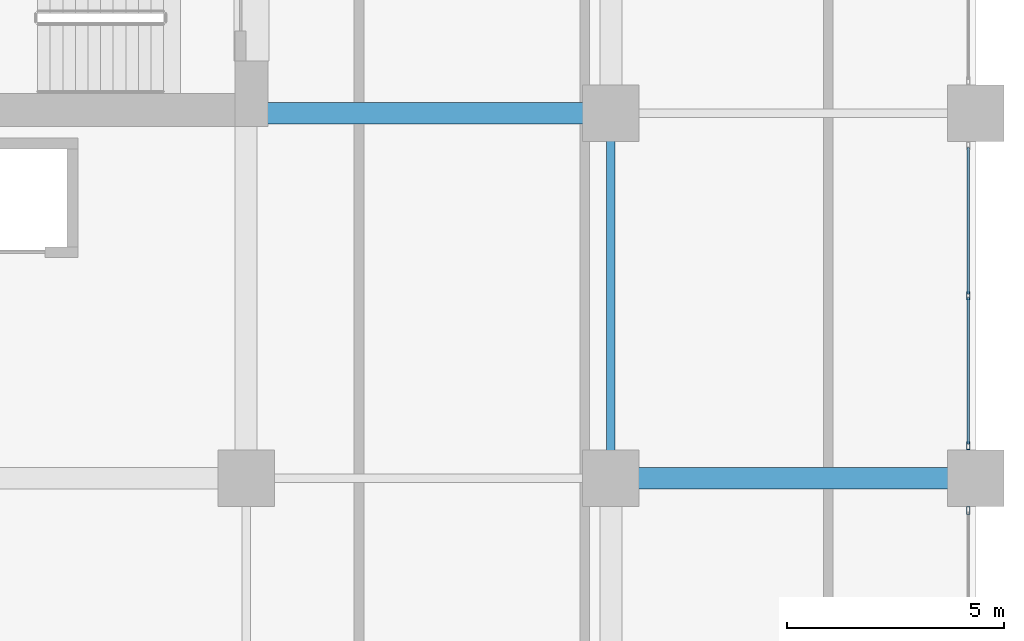
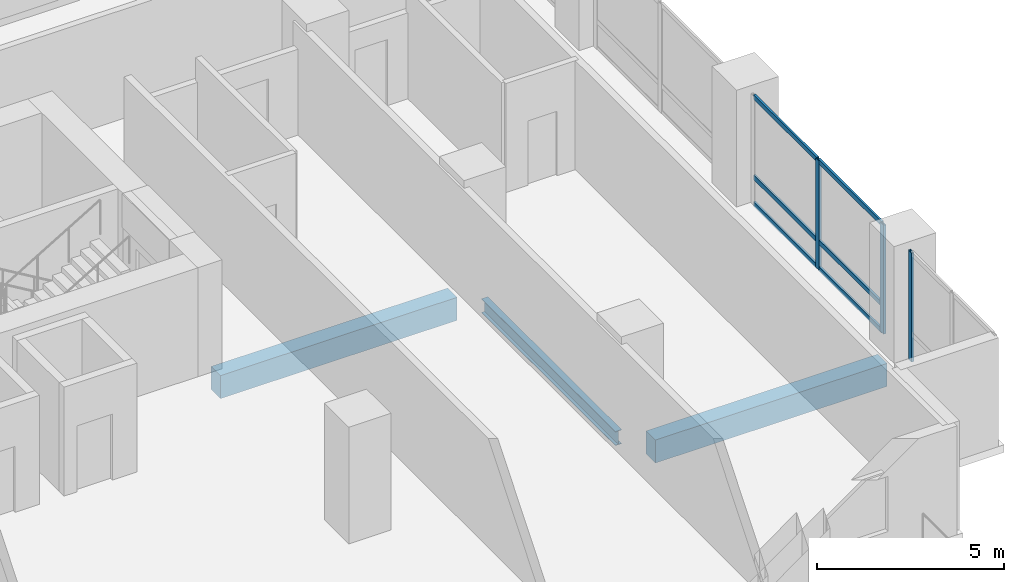
# One storey, part 4 of 24: 9 members, 3 beams, 2 elements without a shape of their own.
"""IFC4 building model written with IfcOpenShell, lengths in metres."""

from ifc_helpers import new_model, si_unit, direction, frame, origin, origin_2d, place, context, subcontext, project, spatial, rectangle, hollow_rectangle, i_section, extrude, material, layer, layer_set, material_profile, profile_set, type_object, element, aggregate, save


model = new_model("IFC4")

# Units and contexts
model_context = context("Model", 3, precision=1e-05, world=origin(), true_north=direction((0.0, 1.0)))
body_context = subcontext(model_context, "Body", "Model", "MODEL_VIEW")
ifc_project = project(units=[si_unit("LENGTHUNIT", "METRE"), si_unit("AREAUNIT", "SQUARE_METRE"), si_unit("VOLUMEUNIT", "CUBIC_METRE"), si_unit("PLANEANGLEUNIT", "RADIAN"), si_unit("MASSUNIT", "GRAM", prefix="KILO")], contexts=[model_context])

# Site, building, storey
site_placement = place(None, origin())
site = spatial("IfcSite", under=ifc_project, at=site_placement, CompositionType="ELEMENT")
building_placement = place(site_placement, origin())
building = spatial("IfcBuilding", under=site, at=building_placement, Name="Koriwani Terraces Tower", CompositionType="ELEMENT")
storey_placement = place(building_placement, frame((0.0, 0.0, 103.800048828125)))
storey = spatial("IfcBuildingStorey", under=building, at=storey_placement, Name="L24", CompositionType="ELEMENT", Elevation=103.800048828125)

# Beams
ifc_material_1 = material(Name="Concrete C50/60", Category="concrete")
ifc_material_profile_1 = material_profile(ifc_material_1, rectangle(XDim=0.5, YDim=0.75, at=origin_2d()), Name="Concrete C50/60", Category="LoadBearing")
ifc_profile_set_1 = profile_set([ifc_material_profile_1], Name="Concrete C50/60")
beam_type_1 = type_object("IfcBeamType", Name="BEAM_RC_GRID_500X750", PredefinedType="BEAM", material=ifc_profile_set_1)
beam_1_placement = place(storey_placement, frame((67.830078125, 8.39990234375, -0.625), z_axis=(1.0, 0.0, 0.0), x_axis=(0.0, 1.0, 0.0)))
element("IfcBeam", 1, at=beam_1_placement, inside=storey, type_object=beam_type_1, Name="L24 Grid Beam B (67.2-75.6m)", PredefinedType="BEAM", context=body_context, shape_type="SweptSolid", body=[
    extrude(rectangle(XDim=0.5, YDim=0.75, at=origin_2d()), origin(), (0.0, 0.0, 1.0), 7.139892578125),
])
beam_2_placement = place(storey_placement, frame((59.280029296875, 16.800048828125, -0.625), z_axis=(1.0, 0.0, 0.0), x_axis=(0.0, 1.0, 0.0)))
element("IfcBeam", 2, at=beam_2_placement, inside=storey, type_object=beam_type_1, Name="L24 Grid Beam C (58.8-67.2m)", PredefinedType="BEAM", context=body_context, shape_type="SweptSolid", body=[
    extrude(rectangle(XDim=0.5, YDim=0.75, at=origin_2d()), origin(), (0.0, 0.0, 1.0), 7.2900390625),
])

# Curtain wall, members
ifc_material_2 = material(Name="Anodised Bronze Aluminium", Category="aluminium")
ifc_layer = layer(ifc_material_2, 0.179931640625, Name="Anodised Bronze Aluminium")
ifc_layer_set = layer_set([ifc_layer], Name="Anodised Bronze Aluminium")
curtain_wall_type = type_object("IfcCurtainWallType", Name="CW_HOTEL_ZONE2", PredefinedType="NOTDEFINED", material=ifc_layer_set)
curtain_wall_1_placement = place(storey_placement, origin())
curtain_wall_1 = element("IfcCurtainWall", 3, at=curtain_wall_1_placement, inside=storey, type_object=curtain_wall_type, Name="L24 Unitised Curtain Wall (E_TIP) Bay 3", PredefinedType="NOTDEFINED")
ifc_material_profile_2 = material_profile(ifc_material_2, hollow_rectangle(XDim=0.074951171875, YDim=0.179931640625, WallThickness=0.006103515625, at=origin_2d()), Name="Anodised Bronze Aluminium", Category="LoadBearing")
ifc_profile_set_2 = profile_set([ifc_material_profile_2], Name="Anodised Bronze Aluminium")
member_type_1 = type_object("IfcMemberType", Name="CW_MULLION_180X75", PredefinedType="MULLION", material=ifc_profile_set_2)
member_1_placement = place(storey_placement, frame((75.425048828125, 12.60009765625, 0.0), z_axis=(0.0, 0.0, 1.0), x_axis=(1.0, 0.0, 0.0)))
member_1 = element("IfcMember", 4, at=member_1_placement, type_object=member_type_1, Name="CW-Z2 mullion 2", PredefinedType="MULLION", context=body_context, shape_type="SweptSolid", body=[
    extrude(hollow_rectangle(XDim=0.074951171875, YDim=0.179931640625, WallThickness=0.006103515625, at=origin_2d()), origin(), (0.0, 0.0, 1.0), 3.550048828125),
])
member_2_placement = place(storey_placement, frame((75.425048828125, 9.1474609375, 0.0), z_axis=(0.0, 0.0, 1.0), x_axis=(1.0, 0.0, 0.0)))
member_2 = element("IfcMember", 5, at=member_2_placement, type_object=member_type_1, Name="CW-Z2 mullion 3", PredefinedType="MULLION", context=body_context, shape_type="SweptSolid", body=[
    extrude(hollow_rectangle(XDim=0.074951171875, YDim=0.179931640625, WallThickness=0.006103515625, at=origin_2d()), origin(), (0.0, 0.0, 1.0), 3.550048828125),
])

# Curtain wall, member
curtain_wall_2_placement = place(storey_placement, origin())
curtain_wall_2 = element("IfcCurtainWall", 6, at=curtain_wall_2_placement, inside=storey, type_object=curtain_wall_type, Name="L24 Unitised Curtain Wall (E_TIP) Bay 4", PredefinedType="NOTDEFINED")
member_3_placement = place(storey_placement, frame((75.425048828125, 7.652587890625, 0.0), z_axis=(0.0, 0.0, 1.0), x_axis=(1.0, 0.0, 0.0)))
member_3 = element("IfcMember", 7, at=member_3_placement, type_object=member_type_1, Name="CW-Z2 mullion 1", PredefinedType="MULLION", context=body_context, shape_type="SweptSolid", body=[
    extrude(hollow_rectangle(XDim=0.074951171875, YDim=0.179931640625, WallThickness=0.006103515625, at=origin_2d()), origin(), (0.0, 0.0, 1.0), 3.550048828125),
])
aggregate(curtain_wall_2, [member_3])

# Member
ifc_material_profile_3 = material_profile(ifc_material_2, hollow_rectangle(XDim=0.06494140625, YDim=0.14990234375, WallThickness=0.0048828125, at=origin_2d()), Name="Anodised Bronze Aluminium", Category="LoadBearing")
ifc_profile_set_3 = profile_set([ifc_material_profile_3], Name="Anodised Bronze Aluminium")
member_type_2 = type_object("IfcMemberType", Name="CW_TRANSOM_150X65", PredefinedType="USERDEFINED", material=ifc_profile_set_3)
member_4_placement = place(storey_placement, frame((75.425048828125, 16.014892578125, 0.032470703125), z_axis=(0.0, -1.0, 0.0), x_axis=(1.0, 0.0, 0.0)))
member_4 = element("IfcMember", 8, at=member_4_placement, type_object=member_type_2, Name="CW-Z2 transom 1.1", ObjectType="TRANSOM", PredefinedType="USERDEFINED", context=body_context, shape_type="SweptSolid", body=[
    extrude(hollow_rectangle(XDim=0.06494140625, YDim=0.14990234375, WallThickness=0.0048828125, at=origin_2d()), origin(), (0.0, 0.0, 1.0), 3.37744140625),
])

member_5_placement = place(storey_placement, frame((75.425048828125, 16.014892578125, 0.89990234375), z_axis=(0.0, -1.0, 0.0), x_axis=(1.0, 0.0, 0.0)))
member_5 = element("IfcMember", 9, at=member_5_placement, type_object=member_type_2, Name="CW-Z2 transom 1.2", ObjectType="TRANSOM", PredefinedType="USERDEFINED", context=body_context, shape_type="SweptSolid", body=[
    extrude(hollow_rectangle(XDim=0.06494140625, YDim=0.14990234375, WallThickness=0.0048828125, at=origin_2d()), origin(), (0.0, 0.0, 1.0), 3.37744140625),
])

member_6_placement = place(storey_placement, frame((75.425048828125, 16.014892578125, 3.517333984375), z_axis=(0.0, -1.0, 0.0), x_axis=(1.0, 0.0, 0.0)))
member_6 = element("IfcMember", 10, at=member_6_placement, type_object=member_type_2, Name="CW-Z2 transom 1.3", ObjectType="TRANSOM", PredefinedType="USERDEFINED", context=body_context, shape_type="SweptSolid", body=[
    extrude(hollow_rectangle(XDim=0.06494140625, YDim=0.14990234375, WallThickness=0.0048828125, at=origin_2d()), origin(), (0.0, 0.0, 1.0), 3.37744140625),
])

member_7_placement = place(storey_placement, frame((75.425048828125, 12.5625, 0.032470703125), z_axis=(0.0, -1.0, 0.0), x_axis=(1.0, 0.0, 0.0)))
member_7 = element("IfcMember", 11, at=member_7_placement, type_object=member_type_2, Name="CW-Z2 transom 2.1", ObjectType="TRANSOM", PredefinedType="USERDEFINED", context=body_context, shape_type="SweptSolid", body=[
    extrude(hollow_rectangle(XDim=0.06494140625, YDim=0.14990234375, WallThickness=0.0048828125, at=origin_2d()), origin(), (0.0, 0.0, 1.0), 3.37744140625),
])

member_8_placement = place(storey_placement, frame((75.425048828125, 12.5625, 0.89990234375), z_axis=(0.0, -1.0, 0.0), x_axis=(1.0, 0.0, 0.0)))
member_8 = element("IfcMember", 12, at=member_8_placement, type_object=member_type_2, Name="CW-Z2 transom 2.2", ObjectType="TRANSOM", PredefinedType="USERDEFINED", context=body_context, shape_type="SweptSolid", body=[
    extrude(hollow_rectangle(XDim=0.06494140625, YDim=0.14990234375, WallThickness=0.0048828125, at=origin_2d()), origin(), (0.0, 0.0, 1.0), 3.37744140625),
])

member_9_placement = place(storey_placement, frame((75.425048828125, 12.5625, 3.517333984375), z_axis=(0.0, -1.0, 0.0), x_axis=(1.0, 0.0, 0.0)))
member_9 = element("IfcMember", 13, at=member_9_placement, type_object=member_type_2, Name="CW-Z2 transom 2.3", ObjectType="TRANSOM", PredefinedType="USERDEFINED", context=body_context, shape_type="SweptSolid", body=[
    extrude(hollow_rectangle(XDim=0.06494140625, YDim=0.14990234375, WallThickness=0.0048828125, at=origin_2d()), origin(), (0.0, 0.0, 1.0), 3.37744140625),
])

aggregate(curtain_wall_1, [member_1, member_2, member_4, member_5, member_6, member_7, member_8, member_9])

# Beam
ifc_material_3 = material(Name="Steel ASTM A572 Grade 50", Category="steel")
ifc_material_profile_4 = material_profile(ifc_material_3, i_section(OverallWidth=0.193115234375, OverallDepth=0.462890625, WebThickness=0.0107421875, FlangeThickness=0.017333984375, at=origin_2d()), Name="Steel ASTM A572 Grade 50", Category="LoadBearing")
ifc_profile_set_4 = profile_set([ifc_material_profile_4], Name="Steel ASTM A572 Grade 50")
beam_type_2 = type_object("IfcBeamType", Name="STEEL_BEAM_W460X113", PredefinedType="BEAM", material=ifc_profile_set_4)
beam_3_placement = place(storey_placement, frame((67.199951171875, 9.030029296875, -0.4814453125), z_axis=(0.0, 1.0, 0.0), x_axis=(-1.0, 0.0, 0.0)))
element("IfcBeam", 14, at=beam_3_placement, inside=storey, type_object=beam_type_2, Name="L24 Grid Beam 9 (8.4-16.8m)", PredefinedType="BEAM", context=body_context, shape_type="SweptSolid", body=[
    extrude(i_section(OverallWidth=0.193115234375, OverallDepth=0.462890625, WebThickness=0.0107421875, FlangeThickness=0.017333984375, at=origin_2d()), origin(), (0.0, 0.0, 1.0), 7.139892578125),
])

save(model, "model.ifc")
